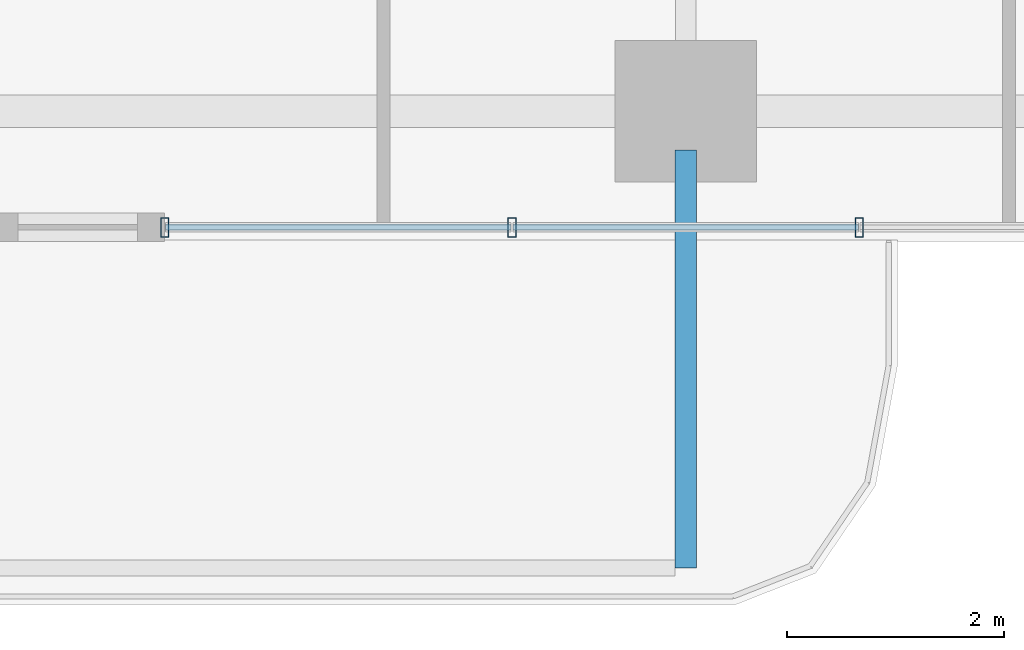
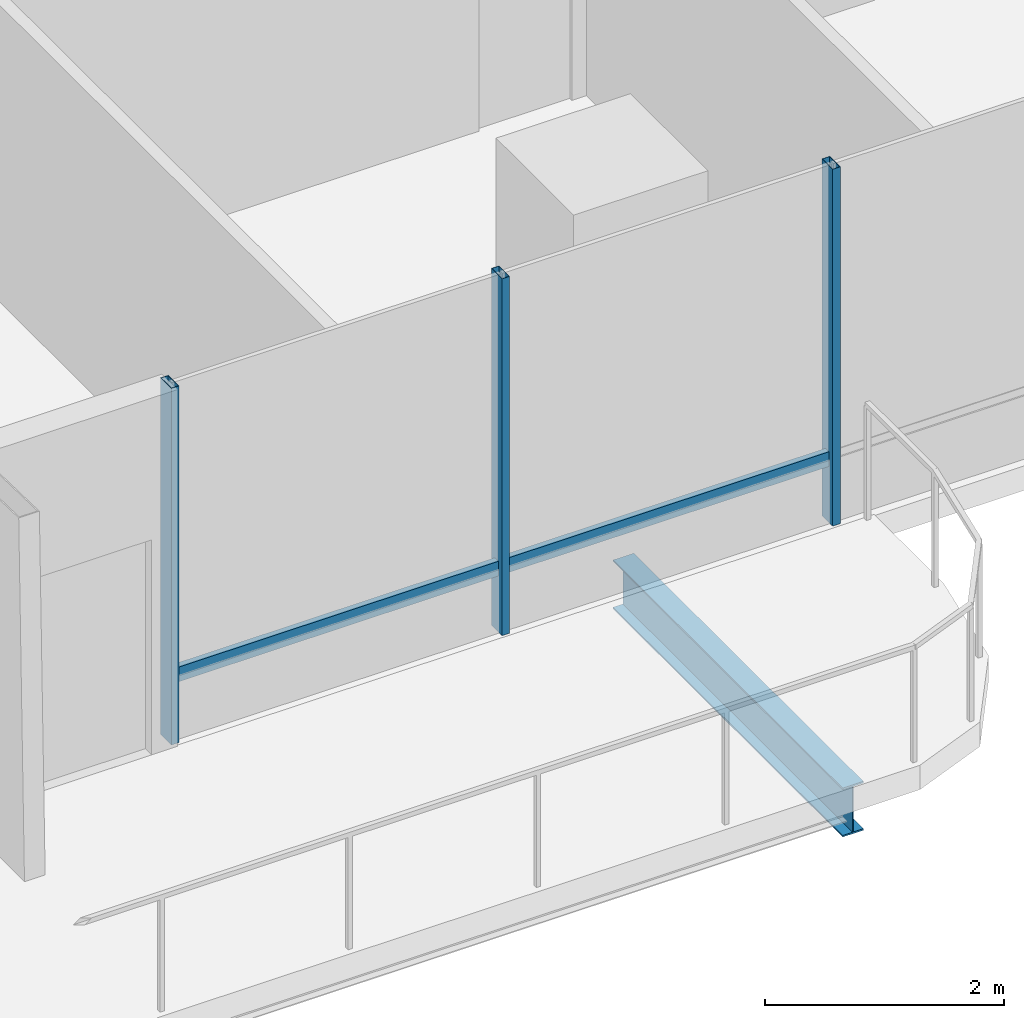
# One storey, part 2 of 23: 5 members, 1 beam, 1 element without a shape of its own.
"""IFC4 building model written with IfcOpenShell, lengths in metres."""

from ifc_helpers import new_model, si_unit, direction, frame, origin, origin_2d, place, context, subcontext, project, spatial, hollow_rectangle, i_section, extrude, material, layer, layer_set, material_profile, profile_set, type_object, element, aggregate, save


model = new_model("IFC4")

# Units and contexts
model_context = context("Model", 3, precision=1e-05, world=origin(), true_north=direction((0.0, 1.0)))
body_context = subcontext(model_context, "Body", "Model", "MODEL_VIEW")
ifc_project = project(units=[si_unit("LENGTHUNIT", "METRE"), si_unit("AREAUNIT", "SQUARE_METRE"), si_unit("VOLUMEUNIT", "CUBIC_METRE"), si_unit("PLANEANGLEUNIT", "RADIAN"), si_unit("MASSUNIT", "GRAM", prefix="KILO")], contexts=[model_context])

# Site, building, storey
site_placement = place(None, origin())
site = spatial("IfcSite", under=ifc_project, at=site_placement, CompositionType="ELEMENT")
building_placement = place(site_placement, origin())
building = spatial("IfcBuilding", under=site, at=building_placement, Name="Belovzor Exchange Tower", CompositionType="ELEMENT")
storey_placement = place(building_placement, frame((0.0, 0.0, 125.10009765625)))
storey = spatial("IfcBuildingStorey", under=building, at=storey_placement, Name="L30", CompositionType="ELEMENT", Elevation=125.10009765625)

# Beam
ifc_material_1 = material(Name="Steel S355", Category="steel")
ifc_material_profile_1 = material_profile(ifc_material_1, i_section(OverallWidth=0.199951171875, OverallDepth=0.5, WebThickness=0.01025390625, FlangeThickness=0.01611328125, at=origin_2d()))
ifc_profile_set_1 = profile_set([ifc_material_profile_1], Name="Steel S355")
beam_type = type_object("IfcBeamType", Name="Planted Balcony Cantilever Beam IPE 500", PredefinedType="BEAM", material=ifc_profile_set_1)
beam_placement = place(storey_placement, frame((28.800048828125, 3.5419921875, -0.5), z_axis=(0.0, -1.0, 0.0), x_axis=(1.0, 0.0, 0.0)))
element("IfcBeam", 1, at=beam_placement, inside=storey, type_object=beam_type, Name="BC-500 Planted Balcony Cantilever Beam IPE 500", PredefinedType="BEAM", context=body_context, shape_type="SweptSolid", body=[
    extrude(i_section(OverallWidth=0.199951171875, OverallDepth=0.5, WebThickness=0.01025390625, FlangeThickness=0.01611328125, at=origin_2d()), origin(), (0.0, 0.0, 1.0), 3.85009765625),
])

# Curtain wall, members
ifc_material_2 = material(Name="Anodised Aluminium Framing", Category="aluminium")
ifc_layer = layer(ifc_material_2, 0.179931640625)
ifc_layer_set = layer_set([ifc_layer], Name="Anodised Aluminium Framing")
curtain_wall_type = type_object("IfcCurtainWallType", Name="Recessed Loggia Low-Iron Triple-Glazed Curtain Wall", PredefinedType="NOTDEFINED", material=ifc_layer_set)
curtain_wall_placement = place(storey_placement, origin())
curtain_wall = element("IfcCurtainWall", 2, at=curtain_wall_placement, inside=storey, type_object=curtain_wall_type, Name="CW3 Recessed Loggia Low-Iron Triple-Glazed Curtain Wall L30", PredefinedType="NOTDEFINED")
ifc_material_3 = material(Name="Steel S355", Category="steel")
ifc_material_profile_2 = material_profile(ifc_material_3, hollow_rectangle(XDim=0.074951171875, YDim=0.179931640625, WallThickness=0.0048828125, at=origin_2d()))
ifc_profile_set_2 = profile_set([ifc_material_profile_2], Name="Steel S355")
member_type_1 = type_object("IfcMemberType", Name="Thermally Broken Curtain Wall Mullion 180x75", PredefinedType="MULLION", material=ifc_profile_set_2)
member_1_placement = place(storey_placement, frame((30.39990234375, 2.830078125, 0.0), z_axis=(0.0, 0.0, 1.0), x_axis=(-1.0, 0.0, 0.0)))
member_1 = element("IfcMember", 3, at=member_1_placement, type_object=member_type_1, Name="CW-M180 Curtain Wall Mullion 2", PredefinedType="MULLION", context=body_context, shape_type="SweptSolid", body=[
    extrude(hollow_rectangle(XDim=0.074951171875, YDim=0.179931640625, WallThickness=0.0048828125, at=origin_2d()), origin(), (0.0, 0.0, 1.0), 3.64990234375),
])
member_2_placement = place(storey_placement, frame((27.199951171875, 2.830078125, 0.0), z_axis=(0.0, 0.0, 1.0), x_axis=(-1.0, 0.0, 0.0)))
member_2 = element("IfcMember", 4, at=member_2_placement, type_object=member_type_1, Name="CW-M180 Curtain Wall Mullion 3", PredefinedType="MULLION", context=body_context, shape_type="SweptSolid", body=[
    extrude(hollow_rectangle(XDim=0.074951171875, YDim=0.179931640625, WallThickness=0.0048828125, at=origin_2d()), origin(), (0.0, 0.0, 1.0), 3.64990234375),
])
member_3_placement = place(storey_placement, frame((24.0, 2.830078125, 0.0), z_axis=(0.0, 0.0, 1.0), x_axis=(-1.0, 0.0, 0.0)))
member_3 = element("IfcMember", 5, at=member_3_placement, type_object=member_type_1, Name="CW-M180 Curtain Wall Mullion 4", PredefinedType="MULLION", context=body_context, shape_type="SweptSolid", body=[
    extrude(hollow_rectangle(XDim=0.074951171875, YDim=0.179931640625, WallThickness=0.0048828125, at=origin_2d()), origin(), (0.0, 0.0, 1.0), 3.64990234375),
])
ifc_material_4 = material(Name="Steel S355", Category="steel")
ifc_material_profile_3 = material_profile(ifc_material_4, hollow_rectangle(XDim=0.06005859375, YDim=0.14990234375, WallThickness=0.00390625, at=origin_2d()))
ifc_profile_set_3 = profile_set([ifc_material_profile_3], Name="Steel S355")
member_type_2 = type_object("IfcMemberType", Name="Thermally Broken Curtain Wall Transom 150x60", PredefinedType="USERDEFINED", material=ifc_profile_set_3)
member_4_placement = place(storey_placement, frame((30.39208984375, 2.830078125, 0.64990234375), z_axis=(-1.0, 0.0, 0.0), x_axis=(0.0, -1.0, 0.0)))
member_4 = element("IfcMember", 6, at=member_4_placement, type_object=member_type_2, Name="CW-T150 Curtain Wall Transom 2", ObjectType="TRANSOM", PredefinedType="USERDEFINED", context=body_context, shape_type="SweptSolid", body=[
    extrude(hollow_rectangle(XDim=0.06005859375, YDim=0.14990234375, WallThickness=0.00390625, at=origin_2d()), origin(), (0.0, 0.0, 1.0), 3.18408203125),
])
member_5_placement = place(storey_placement, frame((27.19189453125, 2.830078125, 0.64990234375), z_axis=(-1.0, 0.0, 0.0), x_axis=(0.0, -1.0, 0.0)))
member_5 = element("IfcMember", 7, at=member_5_placement, type_object=member_type_2, Name="CW-T150 Curtain Wall Transom 3", ObjectType="TRANSOM", PredefinedType="USERDEFINED", context=body_context, shape_type="SweptSolid", body=[
    extrude(hollow_rectangle(XDim=0.06005859375, YDim=0.14990234375, WallThickness=0.00390625, at=origin_2d()), origin(), (0.0, 0.0, 1.0), 3.183837890625),
])
aggregate(curtain_wall, [member_1, member_2, member_3, member_4, member_5])

save(model, "model.ifc")
